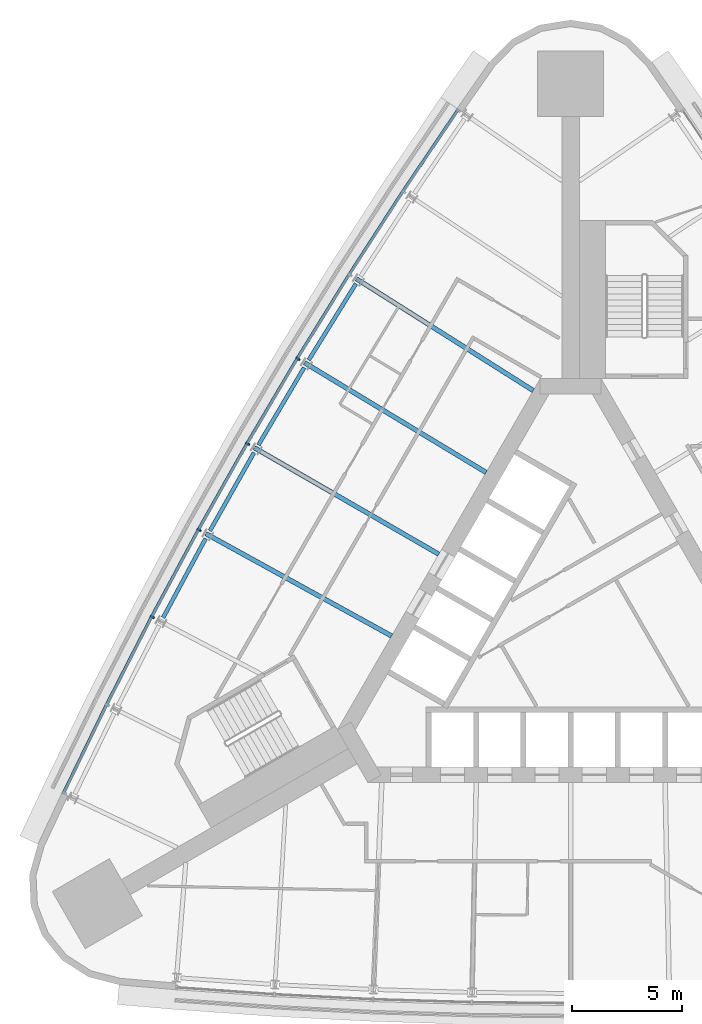
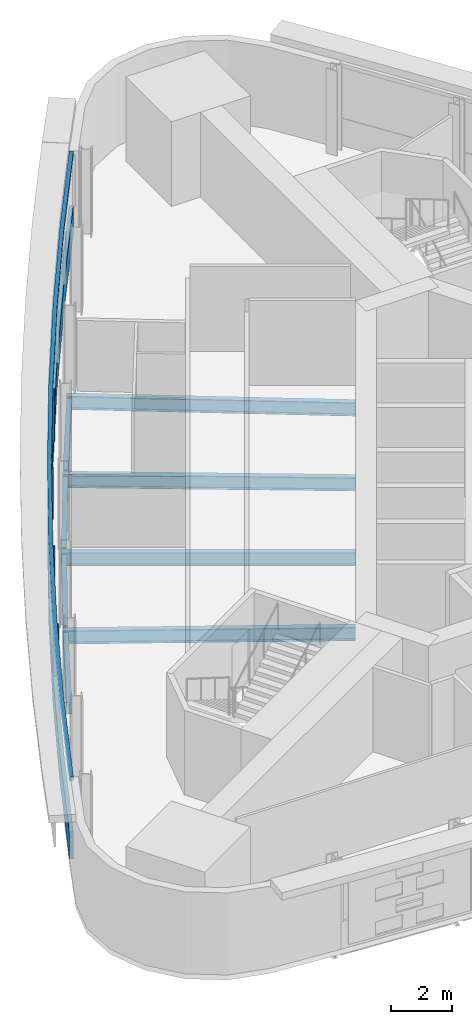
# One storey, part 3 of 11: 8 beams, 6 members, 1 element without a shape of its own.
"""IFC4 building model written with IfcOpenShell, lengths in metres."""

from ifc_helpers import new_model, si_unit, direction, frame, origin, origin_2d, place, context, subcontext, project, spatial, polyline, rectangle, i_section, outline, extrude, material, material_profile, profile_set, type_object, element, aggregate, save


model = new_model("IFC4")

# Units and contexts
model_context = context("Model", 3, precision=1e-05, world=origin(), true_north=direction((0.0, 1.0)))
body_context = subcontext(model_context, "Body", "Model", "MODEL_VIEW")
ifc_project = project(units=[si_unit("LENGTHUNIT", "METRE"), si_unit("AREAUNIT", "SQUARE_METRE"), si_unit("VOLUMEUNIT", "CUBIC_METRE"), si_unit("PLANEANGLEUNIT", "RADIAN"), si_unit("MASSUNIT", "GRAM", prefix="KILO")], contexts=[model_context])

# Site, building, storey
site_placement = place(None, origin())
site = spatial("IfcSite", under=ifc_project, at=site_placement, CompositionType="ELEMENT")
building_placement = place(site_placement, origin())
building = spatial("IfcBuilding", under=site, at=building_placement, Name="Noor Cloister Tower", CompositionType="ELEMENT")
storey_placement = place(building_placement, frame((0.0, 0.0, 113.10009765625)))
storey = spatial("IfcBuildingStorey", under=building, at=storey_placement, Name="L29", CompositionType="ELEMENT", Elevation=113.10009765625)

# Curtain wall, members
ifc_material_1 = material(Name="Aluminium 6063-T6 anodised", Category="aluminium")
curtain_wall_type = type_object("IfcCurtainWallType", Name="Ribbon curtain wall, lower tower CW1", PredefinedType="NOTDEFINED", material=ifc_material_1)
curtain_wall_placement = place(storey_placement, origin())
curtain_wall = element("IfcCurtainWall", 1, at=curtain_wall_placement, inside=storey, type_object=curtain_wall_type, Name="CW1 L29 NW run 1", PredefinedType="NOTDEFINED")
ifc_material_2 = material(Name="Aluminium 6063-T6 anodised", Category="aluminium")
member_type_1 = type_object("IfcMemberType", Name="Head transom CW1 150", PredefinedType="USERDEFINED", material=ifc_material_2)
member_1_placement = place(storey_placement, frame((0.0, 0.0, 3.14990234375)))
member_1 = element("IfcMember", 2, at=member_1_placement, type_object=member_type_1, Name="CW1 head transom", ObjectType="TRANSOM", PredefinedType="USERDEFINED", context=body_context, shape_type="SweptSolid", body=[
    extrude(outline(polyline([(-5.1708984375, 23.747802734375), (-7.68896484375, 20.018310546875), (-10.131591796875, 16.239013671875), (-12.498046875, 12.41162109375), (-14.786865234375, 8.537353515625), (-16.99755859375, 4.617919921875), (-19.129150390625, 0.65478515625), (-21.180908203125, -3.350341796875), (-23.151611328125, -7.395751953125), (-23.02587890625, -7.45703125), (-21.0556640625, -3.412841796875), (-19.00537109375, 0.589599609375), (-16.875, 4.55029296875), (-14.665771484375, 8.46728515625), (-12.378173828125, 12.339111328125), (-10.013427734375, 16.164306640625), (-7.572265625, 19.941162109375), (-5.054931640625, 23.66943359375), (-5.1708984375, 23.747802734375)])), origin(), (0.0, 0.0, 1.0), 0.14990234375),
])
ifc_material_3 = material(Name="Aluminium 6063-T6 anodised", Category="aluminium")
ifc_material_profile_1 = material_profile(ifc_material_3, rectangle(XDim=0.199951171875, YDim=0.080078125, at=origin_2d()), Name="200 x 80 mullion")
ifc_profile_set_1 = profile_set([ifc_material_profile_1], Name="Aluminium 6063-T6 anodised")
member_type_2 = type_object("IfcMemberType", Name="Mullion CW1 80 x 200", PredefinedType="MULLION", material=ifc_profile_set_1)
member_2_placement = place(storey_placement, frame((-12.412353515625, 12.35986328125, 1.099853515625), z_axis=(0.0, 0.0, 1.0), x_axis=(0.855812134138, -0.517286759025, 0.0)))
member_2 = element("IfcMember", 3, at=member_2_placement, type_object=member_type_2, Name="CW1 mullion 4", PredefinedType="MULLION", context=body_context, shape_type="SweptSolid", body=[
    extrude(rectangle(XDim=0.199951171875, YDim=0.080078125, at=origin_2d()), origin(), (0.0, 0.0, 1.0), 2.050048828125),
])
member_3_placement = place(storey_placement, frame((-14.700439453125, 8.4873046875, 1.099853515625), z_axis=(0.0, 0.0, 1.0), x_axis=(0.866025403784, -0.5, 0.0)))
member_3 = element("IfcMember", 4, at=member_3_placement, type_object=member_type_2, Name="CW1 mullion 5", PredefinedType="MULLION", context=body_context, shape_type="SweptSolid", body=[
    extrude(rectangle(XDim=0.199951171875, YDim=0.080078125, at=origin_2d()), origin(), (0.0, 0.0, 1.0), 2.050048828125),
])
member_4_placement = place(storey_placement, frame((-16.91015625, 4.569580078125, 1.099853515625), z_axis=(0.0, 0.0, 1.0), x_axis=(0.875889541426, -0.482511669518, 0.0)))
member_4 = element("IfcMember", 5, at=member_4_placement, type_object=member_type_2, Name="CW1 mullion 6", PredefinedType="MULLION", context=body_context, shape_type="SweptSolid", body=[
    extrude(rectangle(XDim=0.199951171875, YDim=0.080078125, at=origin_2d()), origin(), (0.0, 0.0, 1.0), 2.050048828125),
])
member_5_placement = place(storey_placement, frame((-19.040771484375, 0.6083984375, 1.099853515625), z_axis=(0.0, 0.0, 1.0), x_axis=(0.885400578517, -0.464828802423, 0.0)))
member_5 = element("IfcMember", 6, at=member_5_placement, type_object=member_type_2, Name="CW1 mullion 7", PredefinedType="MULLION", context=body_context, shape_type="SweptSolid", body=[
    extrude(rectangle(XDim=0.199951171875, YDim=0.080078125, at=origin_2d()), origin(), (0.0, 0.0, 1.0), 2.050048828125),
])

# Beams
ifc_material_4 = material(Name="Steel ASTM A992 Gr 50", Category="steel")
ifc_material_profile_2 = material_profile(ifc_material_4, i_section(OverallWidth=0.208984375, OverallDepth=0.532958984375, WebThickness=0.01025390625, FlangeThickness=0.015625, FilletRadius=0.0126953125, at=origin_2d()), Name="W530x92")
ifc_profile_set_2 = profile_set([ifc_material_profile_2], Name="Steel ASTM A992 Gr 50")
beam_type_1 = type_object("IfcBeamType", Name="Radial beam W530x92", PredefinedType="BEAM", material=ifc_profile_set_2)
beam_1_placement = place(storey_placement, frame((-9.751708984375, 15.998779296875, -0.466552734375), z_axis=(0.845253699424, -0.534365215569, 0.0), x_axis=(0.534365215569, 0.845253699424, 0.0)))
element("IfcBeam", 7, at=beam_1_placement, inside=storey, type_object=beam_type_1, Name="Radial beam NW 03 L29", PredefinedType="BEAM", context=body_context, shape_type="SweptSolid", body=[
    extrude(i_section(OverallWidth=0.208984375, OverallDepth=0.532958984375, WebThickness=0.01025390625, FlangeThickness=0.015625, FilletRadius=0.0126953125, at=origin_2d()), origin(), (0.0, 0.0, 1.0), 9.524169921875),
])
beam_2_placement = place(storey_placement, frame((-12.11328125, 12.178955078125, -0.466552734375), z_axis=(0.855814783714, -0.517282375475, 0.0), x_axis=(0.517282375475, 0.855814783714, 0.0)))
element("IfcBeam", 8, at=beam_2_placement, inside=storey, type_object=beam_type_1, Name="Radial beam NW 04 L29", PredefinedType="BEAM", context=body_context, shape_type="SweptSolid", body=[
    extrude(i_section(OverallWidth=0.208984375, OverallDepth=0.532958984375, WebThickness=0.01025390625, FlangeThickness=0.015625, FilletRadius=0.0126953125, at=origin_2d()), origin(), (0.0, 0.0, 1.0), 9.653564453125),
])
beam_3_placement = place(storey_placement, frame((-14.397705078125, 8.3125, -0.466552734375), z_axis=(0.866026681613, -0.49999778673, 0.0), x_axis=(0.49999778673, 0.866026681613, 0.0)))
element("IfcBeam", 9, at=beam_3_placement, inside=storey, type_object=beam_type_1, Name="Radial beam NW 05 L29", PredefinedType="BEAM", context=body_context, shape_type="SweptSolid", body=[
    extrude(i_section(OverallWidth=0.208984375, OverallDepth=0.532958984375, WebThickness=0.01025390625, FlangeThickness=0.015625, FilletRadius=0.0126953125, at=origin_2d()), origin(), (0.0, 0.0, 1.0), 9.69677734375),
])
beam_4_placement = place(storey_placement, frame((-16.60400390625, 4.40087890625, -0.466552734375), z_axis=(0.875892135721, -0.482506960138, 0.0), x_axis=(0.482506960138, 0.875892135721, 0.0)))
element("IfcBeam", 10, at=beam_4_placement, inside=storey, type_object=beam_type_1, Name="Radial beam NW 06 L29", PredefinedType="BEAM", context=body_context, shape_type="SweptSolid", body=[
    extrude(i_section(OverallWidth=0.208984375, OverallDepth=0.532958984375, WebThickness=0.01025390625, FlangeThickness=0.015625, FilletRadius=0.0126953125, at=origin_2d()), origin(), (0.0, 0.0, 1.0), 9.653564453125),
])

# Member
ifc_material_5 = material(Name="Aluminium 6063-T6 anodised", Category="aluminium")
member_type_3 = type_object("IfcMemberType", Name="Sill transom CW1 1100", PredefinedType="USERDEFINED", material=ifc_material_5)
member_6_placement = place(storey_placement, origin())
member_6 = element("IfcMember", 11, at=member_6_placement, type_object=member_type_3, Name="CW1 sill transom", ObjectType="TRANSOM", PredefinedType="USERDEFINED", context=body_context, shape_type="SweptSolid", body=[
    extrude(outline(polyline([(-5.1708984375, 23.747802734375), (-7.68896484375, 20.018310546875), (-10.131591796875, 16.239013671875), (-12.498046875, 12.41162109375), (-14.786865234375, 8.537353515625), (-16.99755859375, 4.617919921875), (-19.129150390625, 0.65478515625), (-21.180908203125, -3.350341796875), (-23.151611328125, -7.395751953125), (-23.02587890625, -7.45703125), (-21.0556640625, -3.412841796875), (-19.00537109375, 0.589599609375), (-16.875, 4.55029296875), (-14.665771484375, 8.46728515625), (-12.378173828125, 12.339111328125), (-10.013427734375, 16.164306640625), (-7.572265625, 19.941162109375), (-5.054931640625, 23.66943359375), (-5.1708984375, 23.747802734375)])), origin(), (0.0, 0.0, 1.0), 1.099853515625),
])

aggregate(curtain_wall, [member_2, member_3, member_4, member_5, member_6, member_1])

# Beams
ifc_material_6 = material(Name="Steel ASTM A992 Gr 50", Category="steel")
ifc_material_profile_3 = material_profile(ifc_material_6, i_section(OverallWidth=0.177978515625, OverallDepth=0.406005859375, WebThickness=0.0078125, FlangeThickness=0.0126953125, FilletRadius=0.01025390625, at=origin_2d()), Name="W410x60")
ifc_profile_set_3 = profile_set([ifc_material_profile_3], Name="Steel ASTM A992 Gr 50")
beam_type_2 = type_object("IfcBeamType", Name="Spandrel beam W410x60", PredefinedType="SPANDREL", material=ifc_profile_set_3)
for number, where, z_axis, x_axis, name in (
    (12, (-9.772216796875, 15.774658203125, -0.403076171875), (-0.525859022029, -0.850571742389, 0.0), (0.850571742389, -0.525859022029, 0.0), "Spandrel beam NW 03 L29"),
    (13, (-12.129150390625, 11.954345703125, -0.403076171875), (-0.508705167369, -0.860940795115, 0.0), (0.860940795115, -0.508705167369, 0.0), "Spandrel beam NW 04 L29"),
    (14, (-14.4091796875, 8.087646484375, -0.403076171875), (-0.491281688798, -0.871000747561, 0.0), (0.871000747561, -0.491281688798, 0.0), "Spandrel beam NW 05 L29"),
    (15, (-16.61083984375, 4.17578125, -0.403076171875), (-0.473722264801, -0.880674296112, 0.0), (0.880674296112, -0.473722264801, 0.0), "Spandrel beam NW 06 L29"),
):
    element("IfcBeam", number, at=place(storey_placement, frame(where, z_axis=z_axis, x_axis=x_axis)), inside=storey, type_object=beam_type_2, Name=name, PredefinedType="SPANDREL", context=body_context, shape_type="SweptSolid", body=[
        extrude(i_section(OverallWidth=0.177978515625, OverallDepth=0.406005859375, WebThickness=0.0078125, FlangeThickness=0.0126953125, FilletRadius=0.01025390625, at=origin_2d()), origin(), (0.0, 0.0, 1.0), 4.087890625),
    ])

save(model, "model.ifc")
